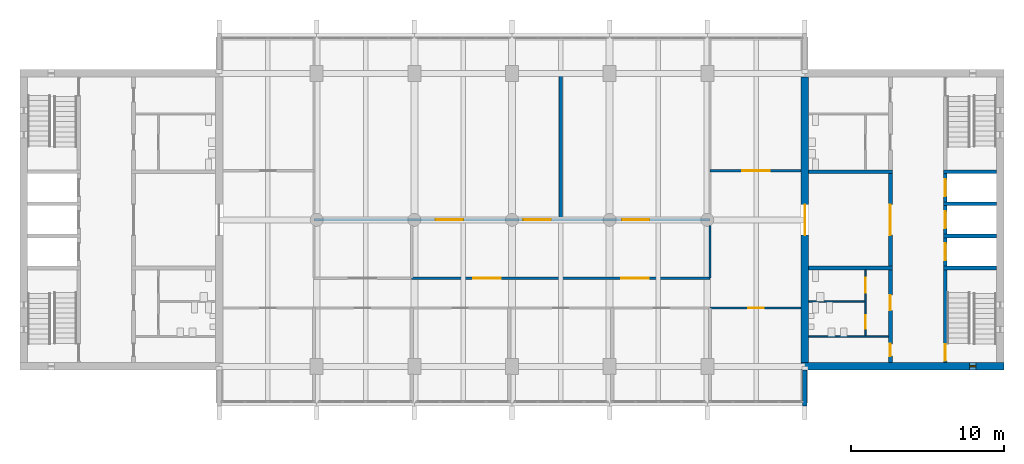
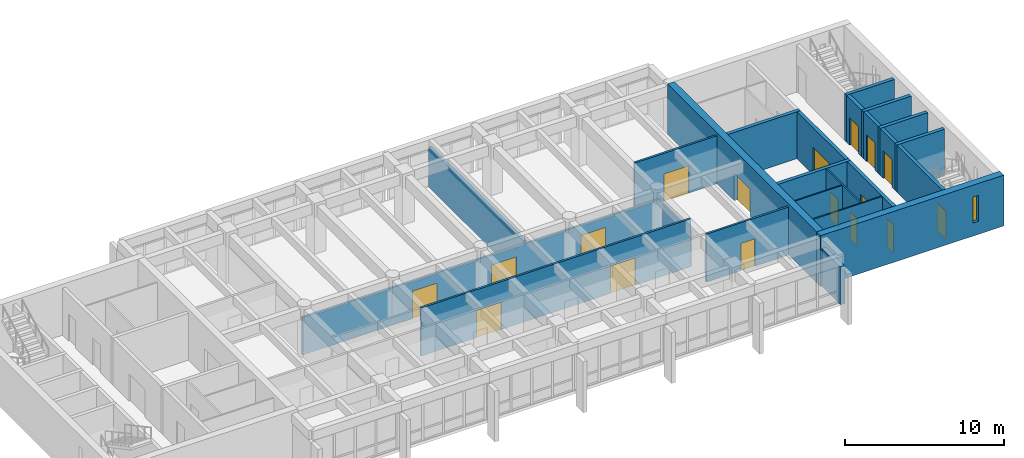
# One storey, part 11 of 15: 24 walls, 17 doors, 1 window, 18 openings.
"""IFC4 building model written with IfcOpenShell, lengths in metres."""

from ifc_helpers import new_model, si_unit, direction, frame, frame_2d, origin, place, context, subcontext, project, spatial, rectangle, extrude, material, layer, layer_set, type_object, element, fill, save


model = new_model("IFC4")

# Units and contexts
model_context = context("Model", 3, precision=1e-05, world=origin(), true_north=direction((0.0, 1.0)))
body_context = subcontext(model_context, "Body", "Model", "MODEL_VIEW")
ifc_project = project(units=[si_unit("LENGTHUNIT", "METRE"), si_unit("AREAUNIT", "SQUARE_METRE"), si_unit("VOLUMEUNIT", "CUBIC_METRE"), si_unit("PLANEANGLEUNIT", "RADIAN"), si_unit("MASSUNIT", "GRAM", prefix="KILO")], contexts=[model_context])

# Site, building, storey
site_placement = place(None, origin())
site = spatial("IfcSite", under=ifc_project, at=site_placement, CompositionType="ELEMENT")
building_placement = place(site_placement, origin())
building = spatial("IfcBuilding", under=site, at=building_placement, Name="Fogon Plaza Fire Station and Headquarters Tower", CompositionType="ELEMENT")
storey_placement = place(building_placement, frame((0.0, 0.0, 56.10009765625)))
storey = spatial("IfcBuildingStorey", under=building, at=storey_placement, Name="L14", CompositionType="ELEMENT", Elevation=56.10009765625)

# Walls
ifc_material_1 = material(Name="Concrete C40", Category="concrete")
ifc_layer_1 = layer(ifc_material_1, 0.25)
ifc_layer_set_1 = layer_set([ifc_layer_1], Name="Concrete C40")
wall_type_1 = type_object("IfcWallType", Name="Core Wall RC 250", PredefinedType="SOLIDWALL", material=ifc_layer_set_1)
for number, where, z_axis, x_axis, name in (
    (1, (76.550048828125, 40.050048828125, 0.0), (0.0, 0.0, 1.0), (-1.0, 0.0, 0.0), "Core B shaft wall"),
    (2, (76.550048828125, 42.14990234375, 0.0), (0.0, 0.0, 1.0), (-1.0, 0.0, 0.0), "Core B shaft wall"),
    (3, (76.550048828125, 44.25, 0.0), (0.0, 0.0, 1.0), (-1.0, 0.0, 0.0), "Core B shaft wall"),
    (4, (76.550048828125, 46.35009765625, 0.0), (0.0, 0.0, 1.0), (-1.0, 0.0, 0.0), "Core B shaft wall"),
):
    element("IfcWall", number, at=place(storey_placement, frame(where, z_axis=z_axis, x_axis=x_axis)), inside=storey, type_object=wall_type_1, Name=name, PredefinedType="SOLIDWALL", context=body_context, shape_type="SweptSolid", body=[
        extrude(rectangle(XDim=3.47509765625, YDim=0.25, at=frame_2d((1.737548828125, 0.0))), origin(), (0.0, 0.0, 1.0), 3.599853515625),
    ])

# Wall, opening, door
wall_1_placement = place(storey_placement, frame((73.199951171875, 33.85009765625, 0.0), z_axis=(0.0, 0.0, 1.0), x_axis=(0.0, 1.0, 0.0)))
wall_1 = element("IfcWall", 5, at=wall_1_placement, inside=storey, type_object=wall_type_1, Name="Core B shaft wall", PredefinedType="SOLIDWALL", context=body_context, shape_type="SweptSolid", body=[
    extrude(rectangle(XDim=6.074951171875, YDim=0.25, at=frame_2d((3.03759765625, 0.0))), origin(), (0.0, 0.0, 1.0), 3.599853515625),
])
opening_1_placement = place(wall_1_placement, frame((0.10009765625, 0.0, 0.0)))
opening_1 = element("IfcOpeningElement", 6, at=opening_1_placement, cuts=wall_1, Name="Opening L14-D15", PredefinedType="OPENING", context=body_context, shape_type="SweptSolid", body=[
    extrude(rectangle(XDim=1.10009765625, YDim=2.10009765625, at=frame_2d((0.550048828125, 1.050048828125))), frame((0.0, 0.135009765625, 0.0), z_axis=(0.0, -1.0, 0.0), x_axis=(1.0, 0.0, 0.0)), (0.0, 0.0, 1.0), 0.27001953125),
])
ifc_material_2 = material(Name="Steel Fire Door Leaf", Category="steel")
door_type_1 = type_object("IfcDoorType", Name="Stair Door Single 1100x2100", OperationType="SINGLE_SWING_LEFT", PredefinedType="DOOR", material=ifc_material_2)
door_1_placement = place(opening_1_placement, frame((1.10009765625, 0.0, 0.0), z_axis=(0.0, 0.0, 1.0), x_axis=(-1.0, 0.0, 0.0)))
door_1 = element("IfcDoor", 7, at=door_1_placement, inside=storey, type_object=door_type_1, Name="Stair door ST3", OperationType="SINGLE_SWING_RIGHT", OverallHeight=2.10009765625, OverallWidth=1.10009765625, PredefinedType="DOOR", context=body_context, shape_type="SweptSolid", body=[
    extrude(rectangle(XDim=1.10009765625, YDim=2.10009765625, at=frame_2d((0.550048828125, 1.050048828125))), frame((0.0, 0.02490234375, 0.0), z_axis=(0.0, -1.0, 0.0), x_axis=(1.0, 0.0, 0.0)), (0.0, 0.0, 1.0), 0.050048828125),
])
fill(opening_1, door_1)

wall_2_placement = place(storey_placement, frame((73.199951171875, 40.175048828125, 0.0), z_axis=(0.0, 0.0, 1.0), x_axis=(0.0, 1.0, 0.0)))
wall_2 = element("IfcWall", 8, at=wall_2_placement, inside=storey, type_object=wall_type_1, Name="Core B shaft wall", PredefinedType="SOLIDWALL", context=body_context, shape_type="SweptSolid", body=[
    extrude(rectangle(XDim=1.849853515625, YDim=0.25, at=frame_2d((0.9248046875, 0.0))), origin(), (0.0, 0.0, 1.0), 3.599853515625),
])
opening_2_placement = place(wall_2_placement, frame((0.375, 0.0, 0.0)))
opening_2 = element("IfcOpeningElement", 9, at=opening_2_placement, cuts=wall_2, Name="Opening L14-D17", PredefinedType="OPENING", context=body_context, shape_type="SweptSolid", body=[
    extrude(rectangle(XDim=1.10009765625, YDim=2.10009765625, at=frame_2d((0.550048828125, 1.050048828125))), frame((0.0, 0.135009765625, 0.0), z_axis=(0.0, -1.0, 0.0), x_axis=(1.0, 0.0, 0.0)), (0.0, 0.0, 1.0), 0.27001953125),
])
ifc_material_3 = material(Name="Stainless Steel", Category="steel")
door_type_2 = type_object("IfcDoorType", Name="Lift Landing Door 1100x2100", OperationType="SLIDING_TO_LEFT", PredefinedType="DOOR", material=ifc_material_3)
door_2_placement = place(opening_2_placement, origin())
door_2 = element("IfcDoor", 10, at=door_2_placement, inside=storey, type_object=door_type_2, Name="Lift LP3 landing door", OperationType="SLIDING_TO_LEFT", OverallHeight=2.10009765625, OverallWidth=1.10009765625, PredefinedType="DOOR", context=body_context, shape_type="SweptSolid", body=[
    extrude(rectangle(XDim=1.10009765625, YDim=2.10009765625, at=frame_2d((0.550048828125, 1.050048828125))), frame((0.0, 0.02490234375, 0.0), z_axis=(0.0, -1.0, 0.0), x_axis=(1.0, 0.0, 0.0)), (0.0, 0.0, 1.0), 0.050048828125),
])
fill(opening_2, door_2)

wall_3_placement = place(storey_placement, frame((73.199951171875, 42.27490234375, 0.0), z_axis=(0.0, 0.0, 1.0), x_axis=(0.0, 1.0, 0.0)))
wall_3 = element("IfcWall", 11, at=wall_3_placement, inside=storey, type_object=wall_type_1, Name="Core B shaft wall", PredefinedType="SOLIDWALL", context=body_context, shape_type="SweptSolid", body=[
    extrude(rectangle(XDim=1.85009765625, YDim=0.25, at=frame_2d((0.925048828125, 0.0))), origin(), (0.0, 0.0, 1.0), 3.599853515625),
])
opening_3_placement = place(wall_3_placement, frame((0.375, 0.0, 0.0)))
opening_3 = element("IfcOpeningElement", 12, at=opening_3_placement, cuts=wall_3, Name="Opening L14-D18", PredefinedType="OPENING", context=body_context, shape_type="SweptSolid", body=[
    extrude(rectangle(XDim=1.10009765625, YDim=2.10009765625, at=frame_2d((0.550048828125, 1.050048828125))), frame((0.0, 0.135009765625, 0.0), z_axis=(0.0, -1.0, 0.0), x_axis=(1.0, 0.0, 0.0)), (0.0, 0.0, 1.0), 0.27001953125),
])
door_3_placement = place(opening_3_placement, origin())
door_3 = element("IfcDoor", 13, at=door_3_placement, inside=storey, type_object=door_type_2, Name="Lift LP4 landing door", OperationType="SLIDING_TO_LEFT", OverallHeight=2.10009765625, OverallWidth=1.10009765625, PredefinedType="DOOR", context=body_context, shape_type="SweptSolid", body=[
    extrude(rectangle(XDim=1.10009765625, YDim=2.10009765625, at=frame_2d((0.550048828125, 1.050048828125))), frame((0.0, 0.02490234375, 0.0), z_axis=(0.0, -1.0, 0.0), x_axis=(1.0, 0.0, 0.0)), (0.0, 0.0, 1.0), 0.050048828125),
])
fill(opening_3, door_3)

wall_4_placement = place(storey_placement, frame((73.199951171875, 44.375, 0.0), z_axis=(0.0, 0.0, 1.0), x_axis=(0.0, 1.0, 0.0)))
wall_4 = element("IfcWall", 14, at=wall_4_placement, inside=storey, type_object=wall_type_1, Name="Core B shaft wall", PredefinedType="SOLIDWALL", context=body_context, shape_type="SweptSolid", body=[
    extrude(rectangle(XDim=1.85009765625, YDim=0.25, at=frame_2d((0.925048828125, 0.0))), origin(), (0.0, 0.0, 1.0), 3.599853515625),
])
opening_4_placement = place(wall_4_placement, frame((0.375, 0.0, 0.0)))
opening_4 = element("IfcOpeningElement", 15, at=opening_4_placement, cuts=wall_4, Name="Opening L14-D19", PredefinedType="OPENING", context=body_context, shape_type="SweptSolid", body=[
    extrude(rectangle(XDim=1.10009765625, YDim=2.10009765625, at=frame_2d((0.550048828125, 1.050048828125))), frame((0.0, 0.135009765625, 0.0), z_axis=(0.0, -1.0, 0.0), x_axis=(1.0, 0.0, 0.0)), (0.0, 0.0, 1.0), 0.27001953125),
])
door_4_placement = place(opening_4_placement, origin())
door_4 = element("IfcDoor", 16, at=door_4_placement, inside=storey, type_object=door_type_2, Name="Lift FL2 landing door", OperationType="SLIDING_TO_LEFT", OverallHeight=2.10009765625, OverallWidth=1.10009765625, PredefinedType="DOOR", context=body_context, shape_type="SweptSolid", body=[
    extrude(rectangle(XDim=1.10009765625, YDim=2.10009765625, at=frame_2d((0.550048828125, 1.050048828125))), frame((0.0, 0.02490234375, 0.0), z_axis=(0.0, -1.0, 0.0), x_axis=(1.0, 0.0, 0.0)), (0.0, 0.0, 1.0), 0.050048828125),
])
fill(opening_4, door_4)

# Wall, openings, doors
wall_5_placement = place(storey_placement, frame((69.60009765625, 33.85009765625, 0.0), z_axis=(0.0, 0.0, 1.0), x_axis=(0.0, 1.0, 0.0)))
wall_5 = element("IfcWall", 17, at=wall_5_placement, inside=storey, type_object=wall_type_1, Name="Core B shaft wall", PredefinedType="SOLIDWALL", context=body_context, shape_type="SweptSolid", body=[
    extrude(rectangle(XDim=6.074951171875, YDim=0.25, at=frame_2d((3.03759765625, 0.0))), origin(), (0.0, 0.0, 1.0), 3.599853515625),
])
opening_5_placement = place(wall_5_placement, frame((0.425048828125, 0.0, 0.0)))
opening_5 = element("IfcOpeningElement", 18, at=opening_5_placement, cuts=wall_5, Name="Opening L14-D22", PredefinedType="OPENING", context=body_context, shape_type="SweptSolid", body=[
    extrude(rectangle(XDim=0.800048828125, YDim=2.10009765625, at=frame_2d((0.39990234375, 1.050048828125))), frame((0.0, 0.135009765625, 0.0), z_axis=(0.0, -1.0, 0.0), x_axis=(1.0, 0.0, 0.0)), (0.0, 0.0, 1.0), 0.27001953125),
])
opening_6_placement = place(wall_5_placement, frame((3.41259765625, 0.0, 0.0)))
opening_6 = element("IfcOpeningElement", 19, at=opening_6_placement, cuts=wall_5, Name="Opening L14-D23", PredefinedType="OPENING", context=body_context, shape_type="SweptSolid", body=[
    extrude(rectangle(XDim=1.0, YDim=2.10009765625, at=frame_2d((0.5, 1.050048828125))), frame((0.0, 0.135009765625, 0.0), z_axis=(0.0, -1.0, 0.0), x_axis=(1.0, 0.0, 0.0)), (0.0, 0.0, 1.0), 0.27001953125),
])
ifc_material_4 = material(Name="Timber Door Leaf", Category="wood")
door_type_3 = type_object("IfcDoorType", Name="Cleaner Store Single 800x2100", OperationType="SINGLE_SWING_LEFT", PredefinedType="DOOR", material=ifc_material_4)
door_5_placement = place(opening_5_placement, origin())
door_5 = element("IfcDoor", 20, at=door_5_placement, inside=storey, type_object=door_type_3, Name="Cleaner's store B door", OperationType="SINGLE_SWING_LEFT", OverallHeight=2.10009765625, OverallWidth=0.800048828125, PredefinedType="DOOR", context=body_context, shape_type="SweptSolid", body=[
    extrude(rectangle(XDim=0.800048828125, YDim=2.10009765625, at=frame_2d((0.39990234375, 1.050048828125))), frame((0.0, 0.02490234375, 0.0), z_axis=(0.0, -1.0, 0.0), x_axis=(1.0, 0.0, 0.0)), (0.0, 0.0, 1.0), 0.050048828125),
])
fill(opening_5, door_5)
ifc_material_5 = material(Name="Timber fire door", Category="wood")
door_type_4 = type_object("IfcDoorType", Name="WC Lobby Single 1000x2100", OperationType="SINGLE_SWING_LEFT", PredefinedType="DOOR", material=ifc_material_5)
door_6_placement = place(opening_6_placement, origin())
door_6 = element("IfcDoor", 21, at=door_6_placement, inside=storey, type_object=door_type_4, Name="Men's WC lobby B door", OperationType="SINGLE_SWING_RIGHT", OverallHeight=2.10009765625, OverallWidth=1.0, PredefinedType="DOOR", context=body_context, shape_type="SweptSolid", body=[
    extrude(rectangle(XDim=1.0, YDim=2.10009765625, at=frame_2d((0.5, 1.050048828125))), frame((0.0, 0.02490234375, 0.0), z_axis=(0.0, -1.0, 0.0), x_axis=(1.0, 0.0, 0.0)), (0.0, 0.0, 1.0), 0.050048828125),
])
fill(opening_6, door_6)

# Wall, opening, door
wall_6_placement = place(storey_placement, frame((69.60009765625, 40.175048828125, 0.0), z_axis=(0.0, 0.0, 1.0), x_axis=(0.0, 1.0, 0.0)))
wall_6 = element("IfcWall", 22, at=wall_6_placement, inside=storey, type_object=wall_type_1, Name="Core B shaft wall", PredefinedType="SOLIDWALL", context=body_context, shape_type="SweptSolid", body=[
    extrude(rectangle(XDim=6.050048828125, YDim=0.25, at=frame_2d((3.02490234375, 0.0))), origin(), (0.0, 0.0, 1.0), 3.599853515625),
])
opening_7_placement = place(wall_6_placement, frame((2.02490234375, 0.0, 0.0)))
opening_7 = element("IfcOpeningElement", 23, at=opening_7_placement, cuts=wall_6, Name="Opening L14-D20", PredefinedType="OPENING", context=body_context, shape_type="SweptSolid", body=[
    extrude(rectangle(XDim=2.0, YDim=2.10009765625, at=frame_2d((1.0, 1.050048828125))), frame((0.0, 0.135009765625, 0.0), z_axis=(0.0, -1.0, 0.0), x_axis=(1.0, 0.0, 0.0)), (0.0, 0.0, 1.0), 0.27001953125),
])
ifc_material_6 = material(Name="Steel Fire Door Leaf", Category="steel")
door_type_5 = type_object("IfcDoorType", Name="Vestibule Double 2000x2100", OperationType="DOUBLE_DOOR_SINGLE_SWING", PredefinedType="DOOR", material=ifc_material_6)
door_7_placement = place(opening_7_placement, origin())
door_7 = element("IfcDoor", 24, at=door_7_placement, inside=storey, type_object=door_type_5, Name="Vestibule B door", OperationType="DOUBLE_DOOR_SINGLE_SWING", OverallHeight=2.10009765625, OverallWidth=2.0, PredefinedType="DOOR", context=body_context, shape_type="SweptSolid", body=[
    extrude(rectangle(XDim=2.0, YDim=2.10009765625, at=frame_2d((1.0, 1.050048828125))), frame((0.0, 0.02490234375, 0.0), z_axis=(0.0, -1.0, 0.0), x_axis=(1.0, 0.0, 0.0)), (0.0, 0.0, 1.0), 0.050048828125),
])
fill(opening_7, door_7)

# Walls
for number, where, z_axis, x_axis, name in (
    (25, (69.72509765625, 40.050048828125, 0.0), (0.0, 0.0, 1.0), (-1.0, 0.0, 0.0), "Core B shaft wall"),
    (26, (69.72509765625, 46.35009765625, 0.0), (0.0, 0.0, 1.0), (-1.0, 0.0, 0.0), "Core B shaft wall"),
):
    element("IfcWall", number, at=place(storey_placement, frame(where, z_axis=z_axis, x_axis=x_axis)), inside=storey, type_object=wall_type_1, Name=name, PredefinedType="SOLIDWALL", context=body_context, shape_type="SweptSolid", body=[
        extrude(rectangle(XDim=5.47509765625, YDim=0.25, at=frame_2d((2.737548828125, 0.0))), origin(), (0.0, 0.0, 1.0), 3.599853515625),
    ])
ifc_material_7 = material(Name="Concrete C40", Category="concrete")
ifc_layer_2 = layer(ifc_material_7, 0.300048828125)
ifc_layer_set_2 = layer_set([ifc_layer_2], Name="Concrete C40")
wall_type_2 = type_object("IfcWallType", Name="Fair-faced RC Return Panel 300", PredefinedType="SOLIDWALL", material=ifc_layer_set_2)
wall_7_placement = place(storey_placement, frame((64.0, 31.0, 0.0), z_axis=(0.0, 0.0, 1.0), x_axis=(0.0, 1.0, 0.0)))
element("IfcWall", 27, at=wall_7_placement, inside=storey, type_object=wall_type_2, Name="Bar end return ES L14", PredefinedType="SOLIDWALL", context=body_context, shape_type="SweptSolid", body=[
    extrude(rectangle(XDim=2.35009765625, YDim=0.300048828125, at=frame_2d((1.175048828125, 0.0))), origin(), (0.0, 0.0, 1.0), 2.8798828125),
])
ifc_material_8 = material(Name="Blockwork", Category="masonry")
ifc_layer_3 = layer(ifc_material_8, 0.10009765625)
ifc_layer_set_3 = layer_set([ifc_layer_3], Name="Blockwork")
wall_type_3 = type_object("IfcWallType", Name="Partition Blockwork 100", PredefinedType="PARTITIONING", material=ifc_layer_set_3)
wall_8_placement = place(storey_placement, frame((69.47509765625, 35.550048828125, 0.0), z_axis=(0.0, 0.0, 1.0), x_axis=(-1.0, 0.0, 0.0)))
element("IfcWall", 28, at=wall_8_placement, inside=storey, type_object=wall_type_3, Name="Cleaner's store partition", PredefinedType="PARTITIONING", context=body_context, shape_type="SweptSolid", body=[
    extrude(rectangle(XDim=5.22509765625, YDim=0.10009765625, at=frame_2d((2.612548828125, 0.0))), origin(), (0.0, 0.0, 1.0), 3.599853515625),
])

# Wall, openings, doors
wall_9_placement = place(storey_placement, frame((67.97509765625, 35.60009765625, 0.0), z_axis=(0.0, 0.0, 1.0), x_axis=(0.0, 1.0, 0.0)))
wall_9 = element("IfcWall", 29, at=wall_9_placement, inside=storey, type_object=wall_type_3, Name="WC block partition", PredefinedType="PARTITIONING", context=body_context, shape_type="SweptSolid", body=[
    extrude(rectangle(XDim=4.324951171875, YDim=0.10009765625, at=frame_2d((2.16259765625, 0.0))), origin(), (0.0, 0.0, 1.0), 3.599853515625),
])
opening_8_placement = place(wall_9_placement, frame((0.449951171875, 0.0, 0.0)))
opening_8 = element("IfcOpeningElement", 30, at=opening_8_placement, cuts=wall_9, Name="Opening L14-D24", PredefinedType="OPENING", context=body_context, shape_type="SweptSolid", body=[
    extrude(rectangle(XDim=0.89990234375, YDim=2.10009765625, at=frame_2d((0.449951171875, 1.050048828125))), frame((0.0, 0.06005859375, 0.0), z_axis=(0.0, -1.0, 0.0), x_axis=(1.0, 0.0, 0.0)), (0.0, 0.0, 1.0), 0.1201171875),
])
opening_9_placement = place(wall_9_placement, frame((2.8125, 0.0, 0.0)))
opening_9 = element("IfcOpeningElement", 31, at=opening_9_placement, cuts=wall_9, Name="Opening L14-D25", PredefinedType="OPENING", context=body_context, shape_type="SweptSolid", body=[
    extrude(rectangle(XDim=1.0, YDim=2.10009765625, at=frame_2d((0.5, 1.050048828125))), frame((0.0, 0.06005859375, 0.0), z_axis=(0.0, -1.0, 0.0), x_axis=(1.0, 0.0, 0.0)), (0.0, 0.0, 1.0), 0.1201171875),
])
ifc_material_9 = material(Name="Timber Door Leaf", Category="wood")
door_type_6 = type_object("IfcDoorType", Name="Accessible WC Single 1000x2100", OperationType="SINGLE_SWING_LEFT", PredefinedType="DOOR", material=ifc_material_9)
door_8_placement = place(opening_9_placement, origin())
door_8 = element("IfcDoor", 32, at=door_8_placement, inside=storey, type_object=door_type_6, Name="Accessible WC B door", OperationType="SINGLE_SWING_RIGHT", OverallHeight=2.10009765625, OverallWidth=1.0, PredefinedType="DOOR", context=body_context, shape_type="SweptSolid", body=[
    extrude(rectangle(XDim=1.0, YDim=2.10009765625, at=frame_2d((0.5, 1.050048828125))), frame((0.0, 0.02490234375, 0.0), z_axis=(0.0, -1.0, 0.0), x_axis=(1.0, 0.0, 0.0)), (0.0, 0.0, 1.0), 0.050048828125),
])
fill(opening_9, door_8)
ifc_material_10 = material(Name="Timber Door Leaf", Category="wood")
door_type_7 = type_object("IfcDoorType", Name="WC Single 900x2100", OperationType="SINGLE_SWING_LEFT", PredefinedType="DOOR", material=ifc_material_10)
door_9_placement = place(opening_8_placement, origin())
door_9 = element("IfcDoor", 33, at=door_9_placement, inside=storey, type_object=door_type_7, Name="Men's WC B door", OperationType="SINGLE_SWING_LEFT", OverallHeight=2.10009765625, OverallWidth=0.89990234375, PredefinedType="DOOR", context=body_context, shape_type="SweptSolid", body=[
    extrude(rectangle(XDim=0.89990234375, YDim=2.10009765625, at=frame_2d((0.449951171875, 1.050048828125))), frame((0.0, 0.02490234375, 0.0), z_axis=(0.0, -1.0, 0.0), x_axis=(1.0, 0.0, 0.0)), (0.0, 0.0, 1.0), 0.050048828125),
])
fill(opening_8, door_9)

# Wall
wall_10_placement = place(storey_placement, frame((67.925048828125, 37.85009765625, 0.0), z_axis=(0.0, 0.0, 1.0), x_axis=(-1.0, 0.0, 0.0)))
element("IfcWall", 34, at=wall_10_placement, inside=storey, type_object=wall_type_3, Name="WC block partition", PredefinedType="PARTITIONING", context=body_context, shape_type="SweptSolid", body=[
    extrude(rectangle(XDim=3.675048828125, YDim=0.10009765625, at=frame_2d((1.83740234375, 0.0))), origin(), (0.0, 0.0, 1.0), 3.599853515625),
])

# Wall, opening, window
ifc_material_11 = material(Name="Concrete C40", Category="concrete")
ifc_layer_4 = layer(ifc_material_11, 0.5)
ifc_layer_set_4 = layer_set([ifc_layer_4], Name="Concrete C40")
wall_type_4 = type_object("IfcWallType", Name="Shear wall 500 SW50", PredefinedType="SHEAR", material=ifc_layer_set_4)
wall_11_placement = place(storey_placement, frame((63.75, 33.60009765625, 0.0), z_axis=(0.0, 0.0, 1.0), x_axis=(1.0, 0.0, 0.0)))
wall_11 = element("IfcWall", 35, at=wall_11_placement, inside=storey, type_object=wall_type_4, Name="wall-coreB-S-L14", PredefinedType="SHEAR", context=body_context, shape_type="SweptSolid", body=[
    extrude(rectangle(XDim=13.300048828125, YDim=0.5, at=frame_2d((6.64990234375, 0.0))), origin(), (0.0, 0.0, 1.0), 3.89990234375),
])
opening_10_placement = place(wall_11_placement, frame((11.050048828125, 0.0, 1.0)))
opening_10 = element("IfcOpeningElement", 36, at=opening_10_placement, cuts=wall_11, Name="Opening WS1", PredefinedType="OPENING", context=body_context, shape_type="SweptSolid", body=[
    extrude(rectangle(XDim=0.39990234375, YDim=2.0, at=frame_2d((0.199951171875, 1.0))), frame((0.0, 0.260009765625, 0.0), z_axis=(0.0, -1.0, 0.0), x_axis=(1.0, 0.0, 0.0)), (0.0, 0.0, 1.0), 0.52001953125),
])
ifc_material_12 = material(Name="Aluminium framed double glazing", Category="aluminium")
window_type = type_object("IfcWindowType", Name="Slit Window WS1 400x2000", PartitioningType="SINGLE_PANEL", PredefinedType="WINDOW", material=ifc_material_12)
window_placement = place(opening_10_placement, origin())
window = element("IfcWindow", 37, at=window_placement, inside=storey, type_object=window_type, Name="Slit window B5 L14", OverallHeight=2.0, OverallWidth=0.39990234375, PartitioningType="SINGLE_PANEL", PredefinedType="WINDOW", context=body_context, shape_type="SweptSolid", body=[
    extrude(rectangle(XDim=0.39990234375, YDim=2.0, at=frame_2d((0.199951171875, 1.0))), frame((0.0, 0.030029296875, 0.0), z_axis=(0.0, -1.0, 0.0), x_axis=(1.0, 0.0, 0.0)), (0.0, 0.0, 1.0), 0.06005859375),
])
fill(opening_10, window)

# Wall, opening, door
wall_12_placement = place(storey_placement, frame((64.0, 33.85009765625, 0.0), z_axis=(0.0, 0.0, 1.0), x_axis=(0.0, 1.0, 0.0)))
wall_12 = element("IfcWall", 38, at=wall_12_placement, inside=storey, type_object=wall_type_4, Name="wall-coreB-W-L14", PredefinedType="SHEAR", context=body_context, shape_type="SweptSolid", body=[
    extrude(rectangle(XDim=18.699951171875, YDim=0.5, at=frame_2d((9.35009765625, 0.0))), origin(), (0.0, 0.0, 1.0), 3.89990234375),
])
opening_11_placement = place(wall_12_placement, frame((8.35009765625, 0.0, 0.0)))
opening_11 = element("IfcOpeningElement", 39, at=opening_11_placement, cuts=wall_12, Name="Opening L14-D21", PredefinedType="OPENING", context=body_context, shape_type="SweptSolid", body=[
    extrude(rectangle(XDim=2.0, YDim=2.10009765625, at=frame_2d((1.0, 1.050048828125))), frame((0.0, 0.260009765625, 0.0), z_axis=(0.0, -1.0, 0.0), x_axis=(1.0, 0.0, 0.0)), (0.0, 0.0, 1.0), 0.52001953125),
])
door_10_placement = place(opening_11_placement, frame((2.0, 0.0, 0.0), z_axis=(0.0, 0.0, 1.0), x_axis=(-1.0, 0.0, 0.0)))
door_10 = element("IfcDoor", 40, at=door_10_placement, inside=storey, type_object=door_type_5, Name="Vestibule B door to the office zone", OperationType="DOUBLE_DOOR_SINGLE_SWING", OverallHeight=2.10009765625, OverallWidth=2.0, PredefinedType="DOOR", context=body_context, shape_type="SweptSolid", body=[
    extrude(rectangle(XDim=2.0, YDim=2.10009765625, at=frame_2d((1.0, 1.050048828125))), frame((0.0, 0.02490234375, 0.0), z_axis=(0.0, -1.0, 0.0), x_axis=(1.0, 0.0, 0.0)), (0.0, 0.0, 1.0), 0.050048828125),
])
fill(opening_11, door_10)

# Wall
ifc_material_13 = material(Name="Timber veneer panel on twin steel stud", Category="steel")
ifc_layer_5 = layer(ifc_material_13, 0.22509765625)
ifc_layer_set_5 = layer_set([ifc_layer_5], Name="Timber veneer panel on twin steel stud")
wall_type_5 = type_object("IfcWallType", Name="Tower boardroom partition 225 Beam Head 600", PredefinedType="PARTITIONING", material=ifc_layer_set_5)
wall_13_placement = place(storey_placement, frame((48.0, 43.199951171875, 0.0), z_axis=(0.0, 0.0, 1.0), x_axis=(0.0, 1.0, 0.0)))
element("IfcWall", 41, at=wall_13_placement, inside=storey, type_object=wall_type_5, Name="part-L14-20", PredefinedType="PARTITIONING", context=body_context, shape_type="SweptSolid", body=[
    extrude(rectangle(XDim=11.900146484375, YDim=0.22509765625, at=frame_2d((5.9501953125, 0.0))), origin(), (0.0, 0.0, 1.0), 3.079833984375),
])

# Wall, opening, door
ifc_material_14 = material(Name="Gypsum board on steel stud", Category="steel")
ifc_layer_6 = layer(ifc_material_14, 0.14990234375)
ifc_layer_set_6 = layer_set([ifc_layer_6], Name="Gypsum board on steel stud")
wall_type_6 = type_object("IfcWallType", Name="Tower corridor partition 150 EI 60", PredefinedType="PARTITIONING", material=ifc_layer_set_6)
wall_14_placement = place(storey_placement, frame((57.780029296875, 37.425048828125, 0.0), z_axis=(0.0, 0.0, 1.0), x_axis=(1.0, 0.0, 0.0)))
wall_14 = element("IfcWall", 42, at=wall_14_placement, inside=storey, type_object=wall_type_6, Name="part-L14-06", PredefinedType="PARTITIONING", context=body_context, shape_type="SweptSolid", body=[
    extrude(rectangle(XDim=5.969970703125, YDim=0.14990234375, at=frame_2d((2.98486328125, 0.0))), origin(), (0.0, 0.0, 1.0), 3.679931640625),
])
opening_12_placement = place(wall_14_placement, frame((2.52001953125, 0.0, 0.0)))
opening_12 = element("IfcOpeningElement", 43, at=opening_12_placement, cuts=wall_14, Name="Opening L14-D34", PredefinedType="OPENING", context=body_context, shape_type="SweptSolid", body=[
    extrude(rectangle(XDim=1.0, YDim=2.10009765625, at=frame_2d((0.5, 1.050048828125))), frame((0.0, 0.0849609375, 0.0), z_axis=(0.0, -1.0, 0.0), x_axis=(1.0, 0.0, 0.0)), (0.0, 0.0, 1.0), 0.169921875),
])
ifc_material_15 = material(Name="Timber fire door", Category="wood")
door_type_8 = type_object("IfcDoorType", Name="Tower fire door single 1000 EI 20", OperationType="SINGLE_SWING_LEFT", PredefinedType="DOOR", material=ifc_material_15)
door_11_placement = place(opening_12_placement, frame((1.0, 0.0, 0.0), z_axis=(0.0, 0.0, 1.0), x_axis=(-1.0, 0.0, 0.0)))
door_11 = element("IfcDoor", 44, at=door_11_placement, inside=storey, type_object=door_type_8, Name="door-L14-06", OperationType="SINGLE_SWING_LEFT", OverallHeight=2.10009765625, OverallWidth=1.0, PredefinedType="DOOR", context=body_context, shape_type="SweptSolid", body=[
    extrude(rectangle(XDim=1.0, YDim=2.10009765625, at=frame_2d((0.5, 1.050048828125))), frame((0.0, 0.02490234375, 0.0), z_axis=(0.0, -1.0, 0.0), x_axis=(1.0, 0.0, 0.0)), (0.0, 0.0, 1.0), 0.050048828125),
])
fill(opening_12, door_11)

# Wall, openings, doors
wall_15_placement = place(storey_placement, frame((38.219970703125, 39.375, 0.0), z_axis=(0.0, 0.0, 1.0), x_axis=(1.0, 0.0, 0.0)))
wall_15 = element("IfcWall", 45, at=wall_15_placement, inside=storey, type_object=wall_type_6, Name="part-L14-18", PredefinedType="PARTITIONING", context=body_context, shape_type="SweptSolid", body=[
    extrude(rectangle(XDim=19.56005859375, YDim=0.14990234375, at=frame_2d((9.780029296875, 0.0))), origin(), (0.0, 0.0, 1.0), 3.679931640625),
])
opening_13_placement = place(wall_15_placement, frame((4.030029296875, 0.0, 0.0)))
opening_13 = element("IfcOpeningElement", 46, at=opening_13_placement, cuts=wall_15, Name="Opening L14-D36", PredefinedType="OPENING", context=body_context, shape_type="SweptSolid", body=[
    extrude(rectangle(XDim=1.800048828125, YDim=2.10009765625, at=frame_2d((0.89990234375, 1.050048828125))), frame((0.0, 0.0849609375, 0.0), z_axis=(0.0, -1.0, 0.0), x_axis=(1.0, 0.0, 0.0)), (0.0, 0.0, 1.0), 0.169921875),
])
opening_14_placement = place(wall_15_placement, frame((13.72998046875, 0.0, 0.0)))
opening_14 = element("IfcOpeningElement", 47, at=opening_14_placement, cuts=wall_15, Name="Opening L14-D37", PredefinedType="OPENING", context=body_context, shape_type="SweptSolid", body=[
    extrude(rectangle(XDim=1.800048828125, YDim=2.10009765625, at=frame_2d((0.89990234375, 1.050048828125))), frame((0.0, 0.0849609375, 0.0), z_axis=(0.0, -1.0, 0.0), x_axis=(1.0, 0.0, 0.0)), (0.0, 0.0, 1.0), 0.169921875),
])
ifc_material_16 = material(Name="Timber fire door", Category="wood")
door_type_9 = type_object("IfcDoorType", Name="Tower fire door double 1800 EI 20", OperationType="DOUBLE_DOOR_SINGLE_SWING", PredefinedType="DOOR", material=ifc_material_16)
door_12_placement = place(opening_13_placement, frame((1.800048828125, 0.0, 0.0), z_axis=(0.0, 0.0, 1.0), x_axis=(-1.0, 0.0, 0.0)))
door_12 = element("IfcDoor", 48, at=door_12_placement, inside=storey, type_object=door_type_9, Name="door-L14-08", OperationType="DOUBLE_DOOR_SINGLE_SWING", OverallHeight=2.10009765625, OverallWidth=1.800048828125, PredefinedType="DOOR", context=body_context, shape_type="SweptSolid", body=[
    extrude(rectangle(XDim=1.800048828125, YDim=2.10009765625, at=frame_2d((0.89990234375, 1.050048828125))), frame((0.0, 0.02490234375, 0.0), z_axis=(0.0, -1.0, 0.0), x_axis=(1.0, 0.0, 0.0)), (0.0, 0.0, 1.0), 0.050048828125),
])
fill(opening_13, door_12)
door_13_placement = place(opening_14_placement, frame((1.800048828125, 0.0, 0.0), z_axis=(0.0, 0.0, 1.0), x_axis=(-1.0, 0.0, 0.0)))
door_13 = element("IfcDoor", 49, at=door_13_placement, inside=storey, type_object=door_type_9, Name="door-L14-09", OperationType="DOUBLE_DOOR_SINGLE_SWING", OverallHeight=2.10009765625, OverallWidth=1.800048828125, PredefinedType="DOOR", context=body_context, shape_type="SweptSolid", body=[
    extrude(rectangle(XDim=1.800048828125, YDim=2.10009765625, at=frame_2d((0.89990234375, 1.050048828125))), frame((0.0, 0.02490234375, 0.0), z_axis=(0.0, -1.0, 0.0), x_axis=(1.0, 0.0, 0.0)), (0.0, 0.0, 1.0), 0.050048828125),
])
fill(opening_14, door_13)

# Wall, opening, door
wall_16_placement = place(storey_placement, frame((57.780029296875, 46.425048828125, 0.0), z_axis=(0.0, 0.0, 1.0), x_axis=(1.0, 0.0, 0.0)))
wall_16 = element("IfcWall", 50, at=wall_16_placement, inside=storey, type_object=wall_type_6, Name="part-L14-26", PredefinedType="PARTITIONING", context=body_context, shape_type="SweptSolid", body=[
    extrude(rectangle(XDim=5.969970703125, YDim=0.14990234375, at=frame_2d((2.98486328125, 0.0))), origin(), (0.0, 0.0, 1.0), 3.679931640625),
])
opening_15_placement = place(wall_16_placement, frame((2.1201171875, 0.0, 0.0)))
opening_15 = element("IfcOpeningElement", 51, at=opening_15_placement, cuts=wall_16, Name="Opening L14-D39", PredefinedType="OPENING", context=body_context, shape_type="SweptSolid", body=[
    extrude(rectangle(XDim=1.800048828125, YDim=2.10009765625, at=frame_2d((0.89990234375, 1.050048828125))), frame((0.0, 0.0849609375, 0.0), z_axis=(0.0, -1.0, 0.0), x_axis=(1.0, 0.0, 0.0)), (0.0, 0.0, 1.0), 0.169921875),
])
door_14_placement = place(opening_15_placement, origin())
door_14 = element("IfcDoor", 52, at=door_14_placement, inside=storey, type_object=door_type_9, Name="door-L14-11", OperationType="DOUBLE_DOOR_SINGLE_SWING", OverallHeight=2.10009765625, OverallWidth=1.800048828125, PredefinedType="DOOR", context=body_context, shape_type="SweptSolid", body=[
    extrude(rectangle(XDim=1.800048828125, YDim=2.10009765625, at=frame_2d((0.89990234375, 1.050048828125))), frame((0.0, 0.02490234375, 0.0), z_axis=(0.0, -1.0, 0.0), x_axis=(1.0, 0.0, 0.0)), (0.0, 0.0, 1.0), 0.050048828125),
])
fill(opening_15, door_14)

# Wall, openings, doors
ifc_material_17 = material(Name="Gypsum board on steel stud", Category="steel")
ifc_layer_7 = layer(ifc_material_17, 0.14990234375)
ifc_layer_set_7 = layer_set([ifc_layer_7], Name="Gypsum board on steel stud")
wall_type_7 = type_object("IfcWallType", Name="Tower corridor partition 150 EI 60 Beam Head 800", PredefinedType="PARTITIONING", material=ifc_layer_set_7)
wall_17_placement = place(storey_placement, frame((31.820068359375, 43.199951171875, 0.0), z_axis=(0.0, 0.0, 1.0), x_axis=(1.0, 0.0, 0.0)))
wall_17 = element("IfcWall", 53, at=wall_17_placement, inside=storey, type_object=wall_type_7, Name="part-L14-21", PredefinedType="PARTITIONING", context=body_context, shape_type="SweptSolid", body=[
    extrude(rectangle(XDim=25.9599609375, YDim=0.14990234375, at=frame_2d((12.97998046875, 0.0))), origin(), (0.0, 0.0, 1.0), 2.8798828125),
])
opening_16_placement = place(wall_17_placement, frame((7.97509765625, 0.0, 0.0)))
opening_16 = element("IfcOpeningElement", 54, at=opening_16_placement, cuts=wall_17, Name="Opening L14-D40", PredefinedType="OPENING", context=body_context, shape_type="SweptSolid", body=[
    extrude(rectangle(XDim=1.800048828125, YDim=2.10009765625, at=frame_2d((0.89990234375, 1.050048828125))), frame((0.0, 0.0849609375, 0.0), z_axis=(0.0, -1.0, 0.0), x_axis=(1.0, 0.0, 0.0)), (0.0, 0.0, 1.0), 0.169921875),
])
opening_17_placement = place(wall_17_placement, frame((13.72509765625, 0.0, 0.0)))
opening_17 = element("IfcOpeningElement", 55, at=opening_17_placement, cuts=wall_17, Name="Opening L14-D41", PredefinedType="OPENING", context=body_context, shape_type="SweptSolid", body=[
    extrude(rectangle(XDim=1.800048828125, YDim=2.10009765625, at=frame_2d((0.89990234375, 1.050048828125))), frame((0.0, 0.0849609375, 0.0), z_axis=(0.0, -1.0, 0.0), x_axis=(1.0, 0.0, 0.0)), (0.0, 0.0, 1.0), 0.169921875),
])
opening_18_placement = place(wall_17_placement, frame((20.1923828125, 0.0, 0.0)))
opening_18 = element("IfcOpeningElement", 56, at=opening_18_placement, cuts=wall_17, Name="Opening L14-D42", PredefinedType="OPENING", context=body_context, shape_type="SweptSolid", body=[
    extrude(rectangle(XDim=1.800048828125, YDim=2.10009765625, at=frame_2d((0.89990234375, 1.050048828125))), frame((0.0, 0.0849609375, 0.0), z_axis=(0.0, -1.0, 0.0), x_axis=(1.0, 0.0, 0.0)), (0.0, 0.0, 1.0), 0.169921875),
])
door_15_placement = place(opening_16_placement, frame((1.800048828125, 0.0, 0.0), z_axis=(0.0, 0.0, 1.0), x_axis=(-1.0, 0.0, 0.0)))
door_15 = element("IfcDoor", 57, at=door_15_placement, inside=storey, type_object=door_type_9, Name="door-L14-12", OperationType="DOUBLE_DOOR_SINGLE_SWING", OverallHeight=2.10009765625, OverallWidth=1.800048828125, PredefinedType="DOOR", context=body_context, shape_type="SweptSolid", body=[
    extrude(rectangle(XDim=1.800048828125, YDim=2.10009765625, at=frame_2d((0.89990234375, 1.050048828125))), frame((0.0, 0.02490234375, 0.0), z_axis=(0.0, -1.0, 0.0), x_axis=(1.0, 0.0, 0.0)), (0.0, 0.0, 1.0), 0.050048828125),
])
fill(opening_16, door_15)
door_16_placement = place(opening_17_placement, frame((1.800048828125, 0.0, 0.0), z_axis=(0.0, 0.0, 1.0), x_axis=(-1.0, 0.0, 0.0)))
door_16 = element("IfcDoor", 58, at=door_16_placement, inside=storey, type_object=door_type_9, Name="door-L14-13", OperationType="DOUBLE_DOOR_SINGLE_SWING", OverallHeight=2.10009765625, OverallWidth=1.800048828125, PredefinedType="DOOR", context=body_context, shape_type="SweptSolid", body=[
    extrude(rectangle(XDim=1.800048828125, YDim=2.10009765625, at=frame_2d((0.89990234375, 1.050048828125))), frame((0.0, 0.02490234375, 0.0), z_axis=(0.0, -1.0, 0.0), x_axis=(1.0, 0.0, 0.0)), (0.0, 0.0, 1.0), 0.050048828125),
])
fill(opening_17, door_16)
door_17_placement = place(opening_18_placement, frame((1.800048828125, 0.0, 0.0), z_axis=(0.0, 0.0, 1.0), x_axis=(-1.0, 0.0, 0.0)))
door_17 = element("IfcDoor", 59, at=door_17_placement, inside=storey, type_object=door_type_9, Name="door-L14-14", OperationType="DOUBLE_DOOR_SINGLE_SWING", OverallHeight=2.10009765625, OverallWidth=1.800048828125, PredefinedType="DOOR", context=body_context, shape_type="SweptSolid", body=[
    extrude(rectangle(XDim=1.800048828125, YDim=2.10009765625, at=frame_2d((0.89990234375, 1.050048828125))), frame((0.0, 0.02490234375, 0.0), z_axis=(0.0, -1.0, 0.0), x_axis=(1.0, 0.0, 0.0)), (0.0, 0.0, 1.0), 0.050048828125),
])
fill(opening_18, door_17)

# Wall
ifc_material_18 = material(Name="Gypsum board on steel stud", Category="steel")
ifc_layer_8 = layer(ifc_material_18, 0.14990234375)
ifc_layer_set_8 = layer_set([ifc_layer_8], Name="Gypsum board on steel stud")
wall_type_8 = type_object("IfcWallType", Name="Tower corridor partition 150 EI 60 Beam Head 900", PredefinedType="PARTITIONING", material=ifc_layer_set_8)
wall_18_placement = place(storey_placement, frame((57.780029296875, 39.375, 0.0), z_axis=(0.0, 0.0, 1.0), x_axis=(0.0, 1.0, 0.0)))
element("IfcWall", 60, at=wall_18_placement, inside=storey, type_object=wall_type_8, Name="part-L14-27", PredefinedType="PARTITIONING", context=body_context, shape_type="SweptSolid", body=[
    extrude(rectangle(XDim=3.4599609375, YDim=0.14990234375, at=frame_2d((1.72998046875, 0.0))), origin(), (0.0, 0.0, 1.0), 2.77978515625),
])

save(model, "model.ifc")
